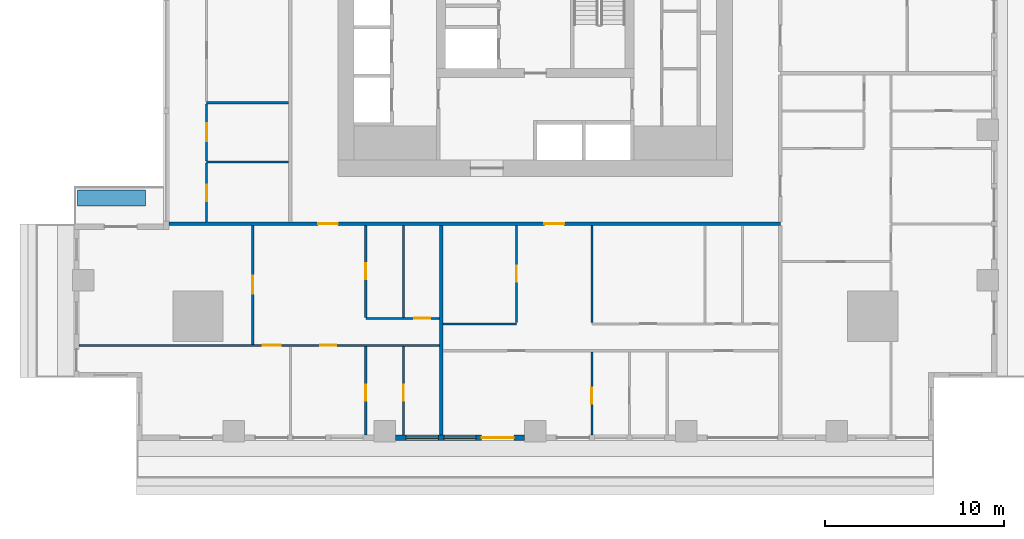
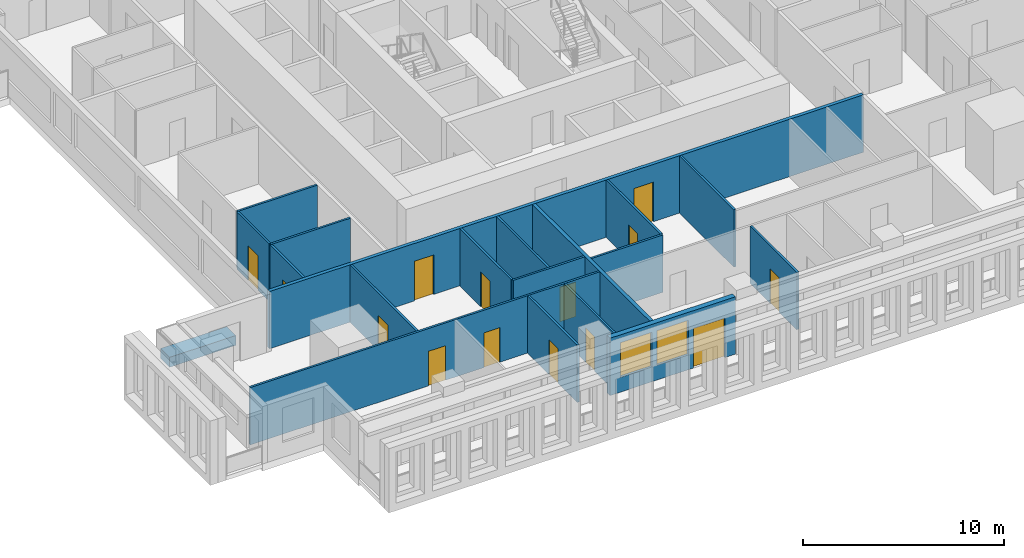
# One storey, part 2 of 15: 19 walls, 14 doors, 2 windows, 16 openings.
"""IFC4 building model written with IfcOpenShell, lengths in metres."""

from ifc_helpers import new_model, si_unit, direction, frame, frame_2d, origin, place, context, subcontext, project, spatial, rectangle, extrude, material, layer, layer_set, type_object, element, fill, save


model = new_model("IFC4")

# Units and contexts
model_context = context("Model", 3, precision=1e-05, world=origin(), true_north=direction((0.0, 1.0)))
body_context = subcontext(model_context, "Body", "Model", "MODEL_VIEW")
ifc_project = project(units=[si_unit("LENGTHUNIT", "METRE"), si_unit("AREAUNIT", "SQUARE_METRE"), si_unit("VOLUMEUNIT", "CUBIC_METRE"), si_unit("PLANEANGLEUNIT", "RADIAN"), si_unit("MASSUNIT", "GRAM", prefix="KILO")], contexts=[model_context])

# Site, building, storey
site_placement = place(None, origin())
site = spatial("IfcSite", under=ifc_project, at=site_placement, CompositionType="ELEMENT")
building_placement = place(site_placement, origin())
building = spatial("IfcBuilding", under=site, at=building_placement, Name="Khepri Terraces", CompositionType="ELEMENT")
storey_placement = place(building_placement, frame((0.0, 0.0, 118.199951171875)))
storey = spatial("IfcBuildingStorey", under=building, at=storey_placement, Name="L28", CompositionType="ELEMENT", Elevation=118.199951171875)

# Wall
ifc_material_1 = material(Name="Fire-rated gypsum plasterboard partition, mineral wool")
ifc_layer_1 = layer(ifc_material_1, 0.199951171875, Name="Fire-rated gypsum plasterboard partition, mineral wool")
ifc_layer_set_1 = layer_set([ifc_layer_1], Name="Fire-rated gypsum plasterboard partition, mineral wool")
wall_type_1 = type_object("IfcWallType", Name="WL-CORR-200", PredefinedType="PARTITIONING", material=ifc_layer_set_1)
wall_1_placement = place(storey_placement, frame((-5.25, -25.419921875, 0.0), z_axis=(0.0, 0.0, 1.0), x_axis=(0.0, 1.0, 0.0)))
element("IfcWall", 1, at=wall_1_placement, inside=storey, type_object=wall_type_1, Name="Partition P-004 L28", PredefinedType="PARTITIONING", context=body_context, shape_type="SweptSolid", body=[
    extrude(rectangle(XDim=11.669921875, YDim=0.199951171875, at=frame_2d((5.8349609375, 0.0))), origin(), (0.0, 0.0, 1.0), 3.47998046875),
])

# Wall, openings, doors
wall_2_placement = place(storey_placement, frame((-20.419921875, -13.64990234375, 0.0), z_axis=(0.0, 0.0, 1.0), x_axis=(1.0, 0.0, 0.0)))
wall_2 = element("IfcWall", 2, at=wall_2_placement, inside=storey, type_object=wall_type_1, Name="Partition P-025 L28", PredefinedType="PARTITIONING", context=body_context, shape_type="SweptSolid", body=[
    extrude(rectangle(XDim=34.06982421875, YDim=0.199951171875, at=frame_2d((17.034912109375, 0.0))), origin(), (0.0, 0.0, 1.0), 3.47998046875),
])
opening_1_placement = place(wall_2_placement, frame((8.320068359375, 0.0, 0.0)))
opening_1 = element("IfcOpeningElement", 3, at=opening_1_placement, cuts=wall_2, Name="Opening D1", PredefinedType="OPENING", context=body_context, shape_type="SweptSolid", body=[
    extrude(rectangle(XDim=1.10009765625, YDim=2.39990234375, at=frame_2d((0.550048828125, 1.199951171875))), frame((0.0, 0.10986328125, 0.0), z_axis=(0.0, -1.0, 0.0), x_axis=(1.0, 0.0, 0.0)), (0.0, 0.0, 1.0), 0.219970703125),
])
opening_2_placement = place(wall_2_placement, frame((20.919921875, 0.0, 0.0)))
opening_2 = element("IfcOpeningElement", 4, at=opening_2_placement, cuts=wall_2, Name="Opening D1", PredefinedType="OPENING", context=body_context, shape_type="SweptSolid", body=[
    extrude(rectangle(XDim=1.10009765625, YDim=2.39990234375, at=frame_2d((0.550048828125, 1.199951171875))), frame((0.0, 0.10986328125, 0.0), z_axis=(0.0, -1.0, 0.0), x_axis=(1.0, 0.0, 0.0)), (0.0, 0.0, 1.0), 0.219970703125),
])
ifc_material_2 = material(Name="Solid-core timber door leaf, flat entrance door", Category="wood")
door_type_1 = type_object("IfcDoorType", Name="DR-ENT-1100", OperationType="NOTDEFINED", PredefinedType="DOOR", material=ifc_material_2)
door_1_placement = place(opening_1_placement, frame((1.10009765625, 0.0, 0.0), z_axis=(0.0, 0.0, 1.0), x_axis=(-1.0, 0.0, 0.0)))
door_1 = element("IfcDoor", 5, at=door_1_placement, inside=storey, type_object=door_type_1, Name="Flat A1 entrance door", OperationType="SINGLE_SWING_RIGHT", OverallHeight=2.39990234375, OverallWidth=1.10009765625, PredefinedType="DOOR", context=body_context, shape_type="SweptSolid", body=[
    extrude(rectangle(XDim=1.10009765625, YDim=2.39990234375, at=frame_2d((0.550048828125, 1.199951171875))), frame((0.0, 0.02490234375, 0.0), z_axis=(0.0, -1.0, 0.0), x_axis=(1.0, 0.0, 0.0)), (0.0, 0.0, 1.0), 0.050048828125),
])
fill(opening_1, door_1)
door_2_placement = place(opening_2_placement, frame((1.10009765625, 0.0, 0.0), z_axis=(0.0, 0.0, 1.0), x_axis=(-1.0, 0.0, 0.0)))
door_2 = element("IfcDoor", 6, at=door_2_placement, inside=storey, type_object=door_type_1, Name="Flat A2 entrance door", OperationType="SINGLE_SWING_LEFT", OverallHeight=2.39990234375, OverallWidth=1.10009765625, PredefinedType="DOOR", context=body_context, shape_type="SweptSolid", body=[
    extrude(rectangle(XDim=1.10009765625, YDim=2.39990234375, at=frame_2d((0.550048828125, 1.199951171875))), frame((0.0, 0.02490234375, 0.0), z_axis=(0.0, -1.0, 0.0), x_axis=(1.0, 0.0, 0.0)), (0.0, 0.0, 1.0), 0.050048828125),
])
fill(opening_2, door_2)

# Wall, openings, door, windows
ifc_material_3 = material(Name="Precast concrete C50/60 warm stone", Category="masonry")
ifc_layer_2 = layer(ifc_material_3, 0.300048828125, Name="Precast concrete C50/60 warm stone", Category="masonry")
ifc_layer_set_2 = layer_set([ifc_layer_2], Name="Precast concrete C50/60 warm stone")
wall_type_2 = type_object("IfcWallType", Name="WL-EXT-PRECAST-300", PredefinedType="STANDARD", material=ifc_layer_set_2)
wall_3_placement = place(storey_placement, frame((-7.800048828125, -25.570068359375, 0.0), z_axis=(0.0, 0.0, 1.0), x_axis=(1.0, 0.0, 0.0)))
wall_3 = element("IfcWall", 7, at=wall_3_placement, inside=storey, type_object=wall_type_2, Name="External wall L28 S", PredefinedType="STANDARD", context=body_context, shape_type="SweptSolid", body=[
    extrude(rectangle(XDim=7.199951171875, YDim=0.300048828125, at=frame_2d((3.60009765625, 0.0))), origin(), (0.0, 0.0, 1.0), 3.47998046875),
])
opening_3_placement = place(wall_3_placement, frame((0.60009765625, 0.0, 0.89990234375)))
opening_3 = element("IfcOpeningElement", 8, at=opening_3_placement, cuts=wall_3, Name="Opening W1", PredefinedType="OPENING", context=body_context, shape_type="SweptSolid", body=[
    extrude(rectangle(XDim=1.800048828125, YDim=2.10009765625, at=frame_2d((0.89990234375, 1.050048828125))), frame((0.0, 0.16015625, 0.0), z_axis=(0.0, -1.0, 0.0), x_axis=(1.0, 0.0, 0.0)), (0.0, 0.0, 1.0), 0.320068359375),
])
opening_4_placement = place(wall_3_placement, frame((2.699951171875, 0.0, 0.89990234375)))
opening_4 = element("IfcOpeningElement", 9, at=opening_4_placement, cuts=wall_3, Name="Opening W1", PredefinedType="OPENING", context=body_context, shape_type="SweptSolid", body=[
    extrude(rectangle(XDim=1.800048828125, YDim=2.10009765625, at=frame_2d((0.89990234375, 1.050048828125))), frame((0.0, 0.16015625, 0.0), z_axis=(0.0, -1.0, 0.0), x_axis=(1.0, 0.0, 0.0)), (0.0, 0.0, 1.0), 0.320068359375),
])
opening_5_placement = place(wall_3_placement, frame((4.800048828125, 0.0, 0.0)))
opening_5 = element("IfcOpeningElement", 10, at=opening_5_placement, cuts=wall_3, Name="Opening ED-L28-23", PredefinedType="OPENING", context=body_context, shape_type="SweptSolid", body=[
    extrude(rectangle(XDim=1.800048828125, YDim=2.39990234375, at=frame_2d((0.89990234375, 1.199951171875))), frame((0.0, 0.16015625, 0.0), z_axis=(0.0, -1.0, 0.0), x_axis=(1.0, 0.0, 0.0)), (0.0, 0.0, 1.0), 0.320068359375),
])
ifc_material_4 = material(Name="Anodised aluminium bronze glazed door", Category="aluminium")
door_type_2 = type_object("IfcDoorType", Name="DR-BAL-SLIDE-1800x2400", OperationType="NOTDEFINED", PredefinedType="DOOR", material=ifc_material_4)
door_3_placement = place(opening_5_placement, origin())
door_3 = element("IfcDoor", 11, at=door_3_placement, inside=storey, type_object=door_type_2, Name="Balcony door L28 S", OperationType="SLIDING_TO_RIGHT", OverallHeight=2.39990234375, OverallWidth=1.800048828125, PredefinedType="DOOR", context=body_context, shape_type="SweptSolid", body=[
    extrude(rectangle(XDim=1.800048828125, YDim=2.39990234375, at=frame_2d((0.89990234375, 1.199951171875))), frame((0.0, 0.02490234375, 0.0), z_axis=(0.0, -1.0, 0.0), x_axis=(1.0, 0.0, 0.0)), (0.0, 0.0, 1.0), 0.050048828125),
])
fill(opening_5, door_3)
ifc_material_5 = material(Name="Clear glass", Category="glass")
window_type = type_object("IfcWindowType", Name="WIN-RES-1800x2100", PartitioningType="SINGLE_PANEL", PredefinedType="WINDOW", material=ifc_material_5)
window_1_placement = place(opening_3_placement, origin())
window_1 = element("IfcWindow", 12, at=window_1_placement, inside=storey, type_object=window_type, Name="Window L28 S", OverallHeight=2.10009765625, OverallWidth=1.800048828125, PartitioningType="SINGLE_PANEL", PredefinedType="WINDOW", context=body_context, shape_type="SweptSolid", body=[
    extrude(rectangle(XDim=1.800048828125, YDim=2.10009765625, at=frame_2d((0.89990234375, 1.050048828125))), frame((0.0, 0.030029296875, 0.0), z_axis=(0.0, -1.0, 0.0), x_axis=(1.0, 0.0, 0.0)), (0.0, 0.0, 1.0), 0.06005859375),
])
fill(opening_3, window_1)
window_2_placement = place(opening_4_placement, origin())
window_2 = element("IfcWindow", 13, at=window_2_placement, inside=storey, type_object=window_type, Name="Window L28 S", OverallHeight=2.10009765625, OverallWidth=1.800048828125, PartitioningType="SINGLE_PANEL", PredefinedType="WINDOW", context=body_context, shape_type="SweptSolid", body=[
    extrude(rectangle(XDim=1.800048828125, YDim=2.10009765625, at=frame_2d((0.89990234375, 1.050048828125))), frame((0.0, 0.030029296875, 0.0), z_axis=(0.0, -1.0, 0.0), x_axis=(1.0, 0.0, 0.0)), (0.0, 0.0, 1.0), 0.06005859375),
])
fill(opening_4, window_2)

# Wall, opening, door
ifc_material_6 = material(Name="Gypsum plasterboard partition")
ifc_layer_3 = layer(ifc_material_6, 0.1201171875, Name="Gypsum plasterboard partition")
ifc_layer_set_3 = layer_set([ifc_layer_3], Name="Gypsum plasterboard partition")
wall_type_3 = type_object("IfcWallType", Name="WL-PART-120", PredefinedType="PARTITIONING", material=ifc_layer_set_3)
wall_4_placement = place(storey_placement, frame((-9.449951171875, -25.419921875, 0.0), z_axis=(0.0, 0.0, 1.0), x_axis=(0.0, 1.0, 0.0)))
wall_4 = element("IfcWall", 14, at=wall_4_placement, inside=storey, type_object=wall_type_3, Name="Partition P-002 L28", PredefinedType="PARTITIONING", context=body_context, shape_type="SweptSolid", body=[
    extrude(rectangle(XDim=4.93994140625, YDim=0.1201171875, at=frame_2d((2.469970703125, 0.0))), origin(), (0.0, 0.0, 1.0), 3.47998046875),
])
opening_6_placement = place(wall_4_placement, frame((1.89990234375, 0.0, 0.0)))
opening_6 = element("IfcOpeningElement", 15, at=opening_6_placement, cuts=wall_4, Name="Opening D3", PredefinedType="OPENING", context=body_context, shape_type="SweptSolid", body=[
    extrude(rectangle(XDim=0.89990234375, YDim=2.10009765625, at=frame_2d((0.449951171875, 1.050048828125))), frame((0.0, 0.070068359375, 0.0), z_axis=(0.0, -1.0, 0.0), x_axis=(1.0, 0.0, 0.0)), (0.0, 0.0, 1.0), 0.14013671875),
])
ifc_material_7 = material(Name="Timber door leaf", Category="wood")
door_type_3 = type_object("IfcDoorType", Name="DR-INT-900", OperationType="NOTDEFINED", PredefinedType="DOOR", material=ifc_material_7)
door_4_placement = place(opening_6_placement, frame((0.89990234375, 0.0, 0.0), z_axis=(0.0, 0.0, 1.0), x_axis=(-1.0, 0.0, 0.0)))
door_4 = element("IfcDoor", 16, at=door_4_placement, inside=storey, type_object=door_type_3, Name="Door Dressing Room", OperationType="SINGLE_SWING_RIGHT", OverallHeight=2.10009765625, OverallWidth=0.89990234375, PredefinedType="DOOR", context=body_context, shape_type="SweptSolid", body=[
    extrude(rectangle(XDim=0.89990234375, YDim=2.10009765625, at=frame_2d((0.449951171875, 1.050048828125))), frame((0.0, 0.02490234375, 0.0), z_axis=(0.0, -1.0, 0.0), x_axis=(1.0, 0.0, 0.0)), (0.0, 0.0, 1.0), 0.050048828125),
])
fill(opening_6, door_4)

wall_5_placement = place(storey_placement, frame((-7.35009765625, -25.419921875, 0.0), z_axis=(0.0, 0.0, 1.0), x_axis=(0.0, 1.0, 0.0)))
wall_5 = element("IfcWall", 17, at=wall_5_placement, inside=storey, type_object=wall_type_3, Name="Partition P-003 L28", PredefinedType="PARTITIONING", context=body_context, shape_type="SweptSolid", body=[
    extrude(rectangle(XDim=4.93994140625, YDim=0.1201171875, at=frame_2d((2.469970703125, 0.0))), origin(), (0.0, 0.0, 1.0), 3.47998046875),
])
opening_7_placement = place(wall_5_placement, frame((1.89990234375, 0.0, 0.0)))
opening_7 = element("IfcOpeningElement", 18, at=opening_7_placement, cuts=wall_5, Name="Opening D4", PredefinedType="OPENING", context=body_context, shape_type="SweptSolid", body=[
    extrude(rectangle(XDim=0.89990234375, YDim=2.10009765625, at=frame_2d((0.449951171875, 1.050048828125))), frame((0.0, 0.070068359375, 0.0), z_axis=(0.0, -1.0, 0.0), x_axis=(1.0, 0.0, 0.0)), (0.0, 0.0, 1.0), 0.14013671875),
])
ifc_material_8 = material(Name="Timber door leaf, moisture resistant", Category="wood")
door_type_4 = type_object("IfcDoorType", Name="DR-WET-900", OperationType="NOTDEFINED", PredefinedType="DOOR", material=ifc_material_8)
door_5_placement = place(opening_7_placement, frame((0.89990234375, 0.0, 0.0), z_axis=(0.0, 0.0, 1.0), x_axis=(-1.0, 0.0, 0.0)))
door_5 = element("IfcDoor", 19, at=door_5_placement, inside=storey, type_object=door_type_4, Name="Door Bathroom", OperationType="SINGLE_SWING_RIGHT", OverallHeight=2.10009765625, OverallWidth=0.89990234375, PredefinedType="DOOR", context=body_context, shape_type="SweptSolid", body=[
    extrude(rectangle(XDim=0.89990234375, YDim=2.10009765625, at=frame_2d((0.449951171875, 1.050048828125))), frame((0.0, 0.02490234375, 0.0), z_axis=(0.0, -1.0, 0.0), x_axis=(1.0, 0.0, 0.0)), (0.0, 0.0, 1.0), 0.050048828125),
])
fill(opening_7, door_5)

wall_6_placement = place(storey_placement, frame((3.14990234375, -25.419921875, 0.0), z_axis=(0.0, 0.0, 1.0), x_axis=(0.0, 1.0, 0.0)))
wall_6 = element("IfcWall", 20, at=wall_6_placement, inside=storey, type_object=wall_type_3, Name="Partition P-005 L28", PredefinedType="PARTITIONING", context=body_context, shape_type="SweptSolid", body=[
    extrude(rectangle(XDim=4.639892578125, YDim=0.1201171875, at=frame_2d((2.31982421875, 0.0))), origin(), (0.0, 0.0, 1.0), 3.47998046875),
])
opening_8_placement = place(wall_6_placement, frame((1.75, 0.0, 0.0)))
opening_8 = element("IfcOpeningElement", 21, at=opening_8_placement, cuts=wall_6, Name="Opening D3", PredefinedType="OPENING", context=body_context, shape_type="SweptSolid", body=[
    extrude(rectangle(XDim=0.89990234375, YDim=2.10009765625, at=frame_2d((0.449951171875, 1.050048828125))), frame((0.0, 0.070068359375, 0.0), z_axis=(0.0, -1.0, 0.0), x_axis=(1.0, 0.0, 0.0)), (0.0, 0.0, 1.0), 0.14013671875),
])
door_6_placement = place(opening_8_placement, frame((0.89990234375, 0.0, 0.0), z_axis=(0.0, 0.0, 1.0), x_axis=(-1.0, 0.0, 0.0)))
door_6 = element("IfcDoor", 22, at=door_6_placement, inside=storey, type_object=door_type_3, Name="Door Dressing Room", OperationType="SINGLE_SWING_RIGHT", OverallHeight=2.10009765625, OverallWidth=0.89990234375, PredefinedType="DOOR", context=body_context, shape_type="SweptSolid", body=[
    extrude(rectangle(XDim=0.89990234375, YDim=2.10009765625, at=frame_2d((0.449951171875, 1.050048828125))), frame((0.0, 0.02490234375, 0.0), z_axis=(0.0, -1.0, 0.0), x_axis=(1.0, 0.0, 0.0)), (0.0, 0.0, 1.0), 0.050048828125),
])
fill(opening_8, door_6)

# Wall, openings, doors
wall_7_placement = place(storey_placement, frame((-25.419921875, -20.419921875, 0.0), z_axis=(0.0, 0.0, 1.0), x_axis=(1.0, 0.0, 0.0)))
wall_7 = element("IfcWall", 23, at=wall_7_placement, inside=storey, type_object=wall_type_3, Name="Partition P-011 L28", PredefinedType="PARTITIONING", context=body_context, shape_type="SweptSolid", body=[
    extrude(rectangle(XDim=20.06982421875, YDim=0.1201171875, at=frame_2d((10.034912109375, 0.0))), origin(), (0.0, 0.0, 1.0), 3.47998046875),
])
opening_9_placement = place(wall_7_placement, frame((10.219970703125, 0.0, 0.0)))
opening_9 = element("IfcOpeningElement", 24, at=opening_9_placement, cuts=wall_7, Name="Opening D2", PredefinedType="OPENING", context=body_context, shape_type="SweptSolid", body=[
    extrude(rectangle(XDim=1.0, YDim=2.10009765625, at=frame_2d((0.5, 1.050048828125))), frame((0.0, 0.070068359375, 0.0), z_axis=(0.0, -1.0, 0.0), x_axis=(1.0, 0.0, 0.0)), (0.0, 0.0, 1.0), 0.14013671875),
])
opening_10_placement = place(wall_7_placement, frame((13.419921875, 0.0, 0.0)))
opening_10 = element("IfcOpeningElement", 25, at=opening_10_placement, cuts=wall_7, Name="Opening D3", PredefinedType="OPENING", context=body_context, shape_type="SweptSolid", body=[
    extrude(rectangle(XDim=0.89990234375, YDim=2.10009765625, at=frame_2d((0.449951171875, 1.050048828125))), frame((0.0, 0.070068359375, 0.0), z_axis=(0.0, -1.0, 0.0), x_axis=(1.0, 0.0, 0.0)), (0.0, 0.0, 1.0), 0.14013671875),
])
ifc_material_9 = material(Name="Timber door leaf, living room door", Category="wood")
door_type_5 = type_object("IfcDoorType", Name="DR-INT-1000", OperationType="NOTDEFINED", PredefinedType="DOOR", material=ifc_material_9)
door_7_placement = place(opening_9_placement, frame((1.0, 0.0, 0.0), z_axis=(0.0, 0.0, 1.0), x_axis=(-1.0, 0.0, 0.0)))
door_7 = element("IfcDoor", 26, at=door_7_placement, inside=storey, type_object=door_type_5, Name="Door Living Room", OperationType="SINGLE_SWING_LEFT", OverallHeight=2.10009765625, OverallWidth=1.0, PredefinedType="DOOR", context=body_context, shape_type="SweptSolid", body=[
    extrude(rectangle(XDim=1.0, YDim=2.10009765625, at=frame_2d((0.5, 1.050048828125))), frame((0.0, 0.02490234375, 0.0), z_axis=(0.0, -1.0, 0.0), x_axis=(1.0, 0.0, 0.0)), (0.0, 0.0, 1.0), 0.050048828125),
])
fill(opening_9, door_7)
door_8_placement = place(opening_10_placement, frame((0.89990234375, 0.0, 0.0), z_axis=(0.0, 0.0, 1.0), x_axis=(-1.0, 0.0, 0.0)))
door_8 = element("IfcDoor", 27, at=door_8_placement, inside=storey, type_object=door_type_3, Name="Door Master Bedroom", OperationType="SINGLE_SWING_LEFT", OverallHeight=2.10009765625, OverallWidth=0.89990234375, PredefinedType="DOOR", context=body_context, shape_type="SweptSolid", body=[
    extrude(rectangle(XDim=0.89990234375, YDim=2.10009765625, at=frame_2d((0.449951171875, 1.050048828125))), frame((0.0, 0.02490234375, 0.0), z_axis=(0.0, -1.0, 0.0), x_axis=(1.0, 0.0, 0.0)), (0.0, 0.0, 1.0), 0.050048828125),
])
fill(opening_10, door_8)

# Wall, opening, door
wall_8_placement = place(storey_placement, frame((-15.75, -20.360107421875, 0.0), z_axis=(0.0, 0.0, 1.0), x_axis=(0.0, 1.0, 0.0)))
wall_8 = element("IfcWall", 28, at=wall_8_placement, inside=storey, type_object=wall_type_3, Name="Partition P-012 L28", PredefinedType="PARTITIONING", context=body_context, shape_type="SweptSolid", body=[
    extrude(rectangle(XDim=6.610107421875, YDim=0.1201171875, at=frame_2d((3.30517578125, 0.0))), origin(), (0.0, 0.0, 1.0), 3.47998046875),
])
opening_11_placement = place(wall_8_placement, frame((2.824951171875, 0.0, 0.0)))
opening_11 = element("IfcOpeningElement", 29, at=opening_11_placement, cuts=wall_8, Name="Opening D2", PredefinedType="OPENING", context=body_context, shape_type="SweptSolid", body=[
    extrude(rectangle(XDim=1.0, YDim=2.10009765625, at=frame_2d((0.5, 1.050048828125))), frame((0.0, 0.070068359375, 0.0), z_axis=(0.0, -1.0, 0.0), x_axis=(1.0, 0.0, 0.0)), (0.0, 0.0, 1.0), 0.14013671875),
])
door_9_placement = place(opening_11_placement, origin())
door_9 = element("IfcDoor", 30, at=door_9_placement, inside=storey, type_object=door_type_5, Name="Door Family Room", OperationType="SINGLE_SWING_RIGHT", OverallHeight=2.10009765625, OverallWidth=1.0, PredefinedType="DOOR", context=body_context, shape_type="SweptSolid", body=[
    extrude(rectangle(XDim=1.0, YDim=2.10009765625, at=frame_2d((0.5, 1.050048828125))), frame((0.0, 0.02490234375, 0.0), z_axis=(0.0, -1.0, 0.0), x_axis=(1.0, 0.0, 0.0)), (0.0, 0.0, 1.0), 0.050048828125),
])
fill(opening_11, door_9)

# Wall
wall_9_placement = place(storey_placement, frame((-5.14990234375, -19.219970703125, 0.0), z_axis=(0.0, 0.0, 1.0), x_axis=(1.0, 0.0, 0.0)))
element("IfcWall", 31, at=wall_9_placement, inside=storey, type_object=wall_type_3, Name="Partition P-013 L28", PredefinedType="PARTITIONING", context=body_context, shape_type="SweptSolid", body=[
    extrude(rectangle(XDim=4.099853515625, YDim=0.1201171875, at=frame_2d((2.0498046875, 0.0))), origin(), (0.0, 0.0, 1.0), 3.47998046875),
])

# Wall, opening, door
wall_10_placement = place(storey_placement, frame((-1.050048828125, -19.159912109375, 0.0), z_axis=(0.0, 0.0, 1.0), x_axis=(0.0, 1.0, 0.0)))
wall_10 = element("IfcWall", 32, at=wall_10_placement, inside=storey, type_object=wall_type_3, Name="Partition P-015 L28", PredefinedType="PARTITIONING", context=body_context, shape_type="SweptSolid", body=[
    extrude(rectangle(XDim=5.409912109375, YDim=0.1201171875, at=frame_2d((2.705078125, 0.0))), origin(), (0.0, 0.0, 1.0), 3.47998046875),
])
opening_12_placement = place(wall_10_placement, frame((2.27490234375, 0.0, 0.0)))
opening_12 = element("IfcOpeningElement", 33, at=opening_12_placement, cuts=wall_10, Name="Opening D3", PredefinedType="OPENING", context=body_context, shape_type="SweptSolid", body=[
    extrude(rectangle(XDim=0.89990234375, YDim=2.10009765625, at=frame_2d((0.449951171875, 1.050048828125))), frame((0.0, 0.070068359375, 0.0), z_axis=(0.0, -1.0, 0.0), x_axis=(1.0, 0.0, 0.0)), (0.0, 0.0, 1.0), 0.14013671875),
])
door_10_placement = place(opening_12_placement, origin())
door_10 = element("IfcDoor", 34, at=door_10_placement, inside=storey, type_object=door_type_3, Name="Door Utility Room", OperationType="SINGLE_SWING_RIGHT", OverallHeight=2.10009765625, OverallWidth=0.89990234375, PredefinedType="DOOR", context=body_context, shape_type="SweptSolid", body=[
    extrude(rectangle(XDim=0.89990234375, YDim=2.10009765625, at=frame_2d((0.449951171875, 1.050048828125))), frame((0.0, 0.02490234375, 0.0), z_axis=(0.0, -1.0, 0.0), x_axis=(1.0, 0.0, 0.0)), (0.0, 0.0, 1.0), 0.050048828125),
])
fill(opening_12, door_10)

# Wall
wall_11_placement = place(storey_placement, frame((3.14990234375, -19.159912109375, 0.0), z_axis=(0.0, 0.0, 1.0), x_axis=(0.0, 1.0, 0.0)))
element("IfcWall", 35, at=wall_11_placement, inside=storey, type_object=wall_type_3, Name="Partition P-016 L28", PredefinedType="PARTITIONING", context=body_context, shape_type="SweptSolid", body=[
    extrude(rectangle(XDim=5.409912109375, YDim=0.1201171875, at=frame_2d((2.705078125, 0.0))), origin(), (0.0, 0.0, 1.0), 3.47998046875),
])

# Wall, opening, door
wall_12_placement = place(storey_placement, frame((-9.449951171875, -18.919921875, 0.0), z_axis=(0.0, 0.0, 1.0), x_axis=(1.0, 0.0, 0.0)))
wall_12 = element("IfcWall", 36, at=wall_12_placement, inside=storey, type_object=wall_type_3, Name="Partition P-019 L28", PredefinedType="PARTITIONING", context=body_context, shape_type="SweptSolid", body=[
    extrude(rectangle(XDim=4.099853515625, YDim=0.1201171875, at=frame_2d((2.0498046875, 0.0))), origin(), (0.0, 0.0, 1.0), 3.47998046875),
])
opening_13_placement = place(wall_12_placement, frame((2.699951171875, 0.0, 0.0)))
opening_13 = element("IfcOpeningElement", 37, at=opening_13_placement, cuts=wall_12, Name="Opening D3", PredefinedType="OPENING", context=body_context, shape_type="SweptSolid", body=[
    extrude(rectangle(XDim=0.89990234375, YDim=2.10009765625, at=frame_2d((0.449951171875, 1.050048828125))), frame((0.0, 0.070068359375, 0.0), z_axis=(0.0, -1.0, 0.0), x_axis=(1.0, 0.0, 0.0)), (0.0, 0.0, 1.0), 0.14013671875),
])
door_11_placement = place(opening_13_placement, origin())
door_11 = element("IfcDoor", 38, at=door_11_placement, inside=storey, type_object=door_type_3, Name="Door Kitchen", OperationType="SINGLE_SWING_RIGHT", OverallHeight=2.10009765625, OverallWidth=0.89990234375, PredefinedType="DOOR", context=body_context, shape_type="SweptSolid", body=[
    extrude(rectangle(XDim=0.89990234375, YDim=2.10009765625, at=frame_2d((0.449951171875, 1.050048828125))), frame((0.0, 0.02490234375, 0.0), z_axis=(0.0, -1.0, 0.0), x_axis=(1.0, 0.0, 0.0)), (0.0, 0.0, 1.0), 0.050048828125),
])
fill(opening_13, door_11)

wall_13_placement = place(storey_placement, frame((-9.449951171875, -18.860107421875, 0.0), z_axis=(0.0, 0.0, 1.0), x_axis=(0.0, 1.0, 0.0)))
wall_13 = element("IfcWall", 39, at=wall_13_placement, inside=storey, type_object=wall_type_3, Name="Partition P-020 L28", PredefinedType="PARTITIONING", context=body_context, shape_type="SweptSolid", body=[
    extrude(rectangle(XDim=5.110107421875, YDim=0.1201171875, at=frame_2d((2.55517578125, 0.0))), origin(), (0.0, 0.0, 1.0), 3.47998046875),
])
opening_14_placement = place(wall_13_placement, frame((2.125, 0.0, 0.0)))
opening_14 = element("IfcOpeningElement", 40, at=opening_14_placement, cuts=wall_13, Name="Opening D4", PredefinedType="OPENING", context=body_context, shape_type="SweptSolid", body=[
    extrude(rectangle(XDim=0.89990234375, YDim=2.10009765625, at=frame_2d((0.449951171875, 1.050048828125))), frame((0.0, 0.070068359375, 0.0), z_axis=(0.0, -1.0, 0.0), x_axis=(1.0, 0.0, 0.0)), (0.0, 0.0, 1.0), 0.14013671875),
])
door_12_placement = place(opening_14_placement, frame((0.89990234375, 0.0, 0.0), z_axis=(0.0, 0.0, 1.0), x_axis=(-1.0, 0.0, 0.0)))
door_12 = element("IfcDoor", 41, at=door_12_placement, inside=storey, type_object=door_type_4, Name="Door Guest Bathroom", OperationType="SINGLE_SWING_LEFT", OverallHeight=2.10009765625, OverallWidth=0.89990234375, PredefinedType="DOOR", context=body_context, shape_type="SweptSolid", body=[
    extrude(rectangle(XDim=0.89990234375, YDim=2.10009765625, at=frame_2d((0.449951171875, 1.050048828125))), frame((0.0, 0.02490234375, 0.0), z_axis=(0.0, -1.0, 0.0), x_axis=(1.0, 0.0, 0.0)), (0.0, 0.0, 1.0), 0.050048828125),
])
fill(opening_14, door_12)

# Wall
wall_14_placement = place(storey_placement, frame((-7.35009765625, -18.860107421875, 0.0), z_axis=(0.0, 0.0, 1.0), x_axis=(0.0, 1.0, 0.0)))
element("IfcWall", 42, at=wall_14_placement, inside=storey, type_object=wall_type_3, Name="Partition P-021 L28", PredefinedType="PARTITIONING", context=body_context, shape_type="SweptSolid", body=[
    extrude(rectangle(XDim=5.110107421875, YDim=0.1201171875, at=frame_2d((2.55517578125, 0.0))), origin(), (0.0, 0.0, 1.0), 3.47998046875),
])

# Wall, opening, door
wall_15_placement = place(storey_placement, frame((-18.320068359375, -13.550048828125, 0.0), z_axis=(0.0, 0.0, 1.0), x_axis=(0.0, 1.0, 0.0)))
wall_15 = element("IfcWall", 43, at=wall_15_placement, inside=storey, type_object=wall_type_3, Name="Partition P-028 L28", PredefinedType="PARTITIONING", context=body_context, shape_type="SweptSolid", body=[
    extrude(rectangle(XDim=3.2900390625, YDim=0.1201171875, at=frame_2d((1.64501953125, 0.0))), origin(), (0.0, 0.0, 1.0), 3.47998046875),
])
opening_15_placement = place(wall_15_placement, frame((1.175048828125, 0.0, 0.0)))
opening_15 = element("IfcOpeningElement", 44, at=opening_15_placement, cuts=wall_15, Name="Opening D3", PredefinedType="OPENING", context=body_context, shape_type="SweptSolid", body=[
    extrude(rectangle(XDim=0.89990234375, YDim=2.10009765625, at=frame_2d((0.449951171875, 1.050048828125))), frame((0.0, 0.070068359375, 0.0), z_axis=(0.0, -1.0, 0.0), x_axis=(1.0, 0.0, 0.0)), (0.0, 0.0, 1.0), 0.14013671875),
])
door_13_placement = place(opening_15_placement, frame((0.89990234375, 0.0, 0.0), z_axis=(0.0, 0.0, 1.0), x_axis=(-1.0, 0.0, 0.0)))
door_13 = element("IfcDoor", 45, at=door_13_placement, inside=storey, type_object=door_type_3, Name="Door Staff Bedroom", OperationType="SINGLE_SWING_RIGHT", OverallHeight=2.10009765625, OverallWidth=0.89990234375, PredefinedType="DOOR", context=body_context, shape_type="SweptSolid", body=[
    extrude(rectangle(XDim=0.89990234375, YDim=2.10009765625, at=frame_2d((0.449951171875, 1.050048828125))), frame((0.0, 0.02490234375, 0.0), z_axis=(0.0, -1.0, 0.0), x_axis=(1.0, 0.0, 0.0)), (0.0, 0.0, 1.0), 0.050048828125),
])
fill(opening_15, door_13)

# Wall
wall_16_placement = place(storey_placement, frame((-18.320068359375, -10.199951171875, 0.0), z_axis=(0.0, 0.0, 1.0), x_axis=(1.0, 0.0, 0.0)))
element("IfcWall", 46, at=wall_16_placement, inside=storey, type_object=wall_type_3, Name="Partition P-031 L28", PredefinedType="PARTITIONING", context=body_context, shape_type="SweptSolid", body=[
    extrude(rectangle(XDim=4.570068359375, YDim=0.1201171875, at=frame_2d((2.28515625, 0.0))), origin(), (0.0, 0.0, 1.0), 3.47998046875),
])

# Wall, opening, door
wall_17_placement = place(storey_placement, frame((-18.320068359375, -10.139892578125, 0.0), z_axis=(0.0, 0.0, 1.0), x_axis=(0.0, 1.0, 0.0)))
wall_17 = element("IfcWall", 47, at=wall_17_placement, inside=storey, type_object=wall_type_3, Name="Partition P-032 L28", PredefinedType="PARTITIONING", context=body_context, shape_type="SweptSolid", body=[
    extrude(rectangle(XDim=3.179931640625, YDim=0.1201171875, at=frame_2d((1.58984375, 0.0))), origin(), (0.0, 0.0, 1.0), 3.47998046875),
])
opening_16_placement = place(wall_17_placement, frame((1.090087890625, 0.0, 0.0)))
opening_16 = element("IfcOpeningElement", 48, at=opening_16_placement, cuts=wall_17, Name="Opening D2", PredefinedType="OPENING", context=body_context, shape_type="SweptSolid", body=[
    extrude(rectangle(XDim=1.0, YDim=2.10009765625, at=frame_2d((0.5, 1.050048828125))), frame((0.0, 0.070068359375, 0.0), z_axis=(0.0, -1.0, 0.0), x_axis=(1.0, 0.0, 0.0)), (0.0, 0.0, 1.0), 0.14013671875),
])
door_14_placement = place(opening_16_placement, frame((1.0, 0.0, 0.0), z_axis=(0.0, 0.0, 1.0), x_axis=(-1.0, 0.0, 0.0)))
door_14 = element("IfcDoor", 49, at=door_14_placement, inside=storey, type_object=door_type_5, Name="Door Family Room", OperationType="SINGLE_SWING_RIGHT", OverallHeight=2.10009765625, OverallWidth=1.0, PredefinedType="DOOR", context=body_context, shape_type="SweptSolid", body=[
    extrude(rectangle(XDim=1.0, YDim=2.10009765625, at=frame_2d((0.5, 1.050048828125))), frame((0.0, 0.02490234375, 0.0), z_axis=(0.0, -1.0, 0.0), x_axis=(1.0, 0.0, 0.0)), (0.0, 0.0, 1.0), 0.050048828125),
])
fill(opening_16, door_14)

# Walls
wall_18_placement = place(storey_placement, frame((-18.320068359375, -6.89990234375, 0.0), z_axis=(0.0, 0.0, 1.0), x_axis=(1.0, 0.0, 0.0)))
element("IfcWall", 50, at=wall_18_placement, inside=storey, type_object=wall_type_3, Name="Partition P-041 L28", PredefinedType="PARTITIONING", context=body_context, shape_type="SweptSolid", body=[
    extrude(rectangle(XDim=4.570068359375, YDim=0.1201171875, at=frame_2d((2.28515625, 0.0))), origin(), (0.0, 0.0, 1.0), 3.47998046875),
])
ifc_layer_4 = layer(ifc_material_3, 0.89990234375, Name="Precast concrete C50/60 warm stone", Category="masonry")
ifc_layer_set_4 = layer_set([ifc_layer_4], Name="Precast concrete C50/60 warm stone")
wall_type_4 = type_object("IfcWallType", Name="WL-PLANTER-900", PredefinedType="MOVABLE", material=ifc_layer_set_4)
wall_19_placement = place(storey_placement, frame((-25.52001953125, -12.199951171875, 0.0), z_axis=(0.0, 0.0, 1.0), x_axis=(1.0, 0.0, 0.0)))
element("IfcWall", 51, at=wall_19_placement, inside=storey, type_object=wall_type_4, Name="Planter L28", PredefinedType="MOVABLE", context=body_context, shape_type="SweptSolid", body=[
    extrude(rectangle(XDim=3.800048828125, YDim=0.89990234375, at=frame_2d((1.89990234375, 0.0))), origin(), (0.0, 0.0, 1.0), 0.60009765625),
])

save(model, "model.ifc")
